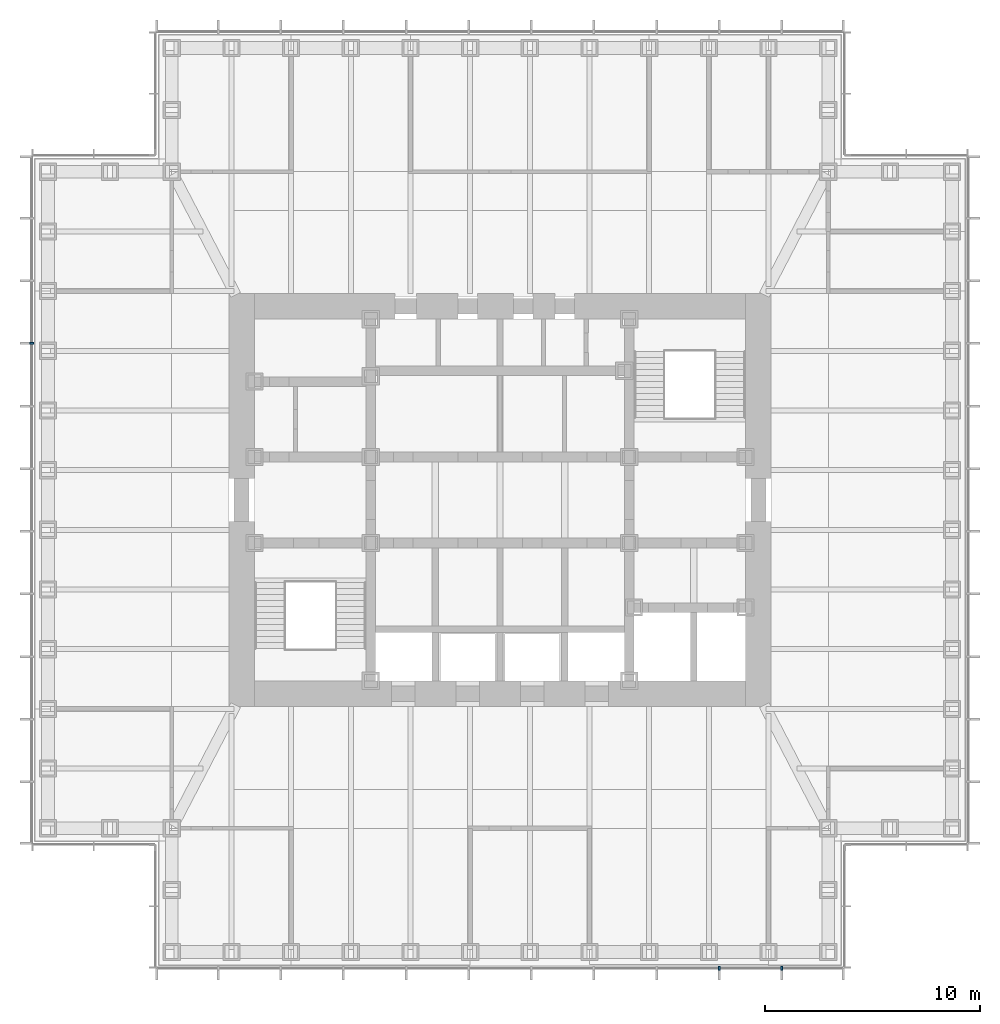
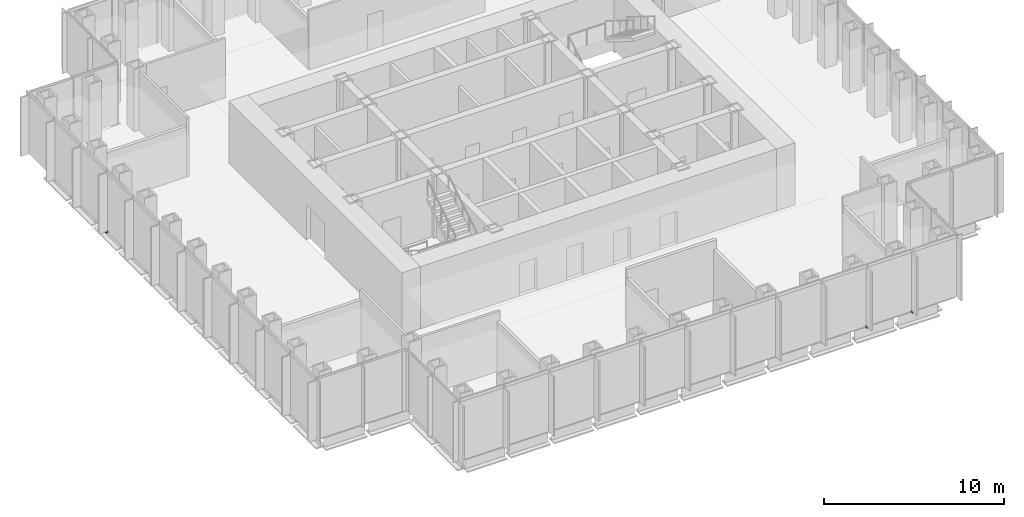
# One storey, part 12 of 16: 3 discrete accessories.
"""IFC4 building model written with IfcOpenShell, lengths in metres."""

from ifc_helpers import new_model, si_unit, direction, frame, origin, origin_2d, place, context, subcontext, project, spatial, rectangle, extrude, element, save


model = new_model("IFC4")

# Units and contexts
model_context = context("Model", 3, precision=1e-05, world=origin(), true_north=direction((0.0, 1.0)))
body_context = subcontext(model_context, "Body", "Model", "MODEL_VIEW")
ifc_project = project(units=[si_unit("LENGTHUNIT", "METRE"), si_unit("AREAUNIT", "SQUARE_METRE"), si_unit("VOLUMEUNIT", "CUBIC_METRE"), si_unit("PLANEANGLEUNIT", "RADIAN"), si_unit("MASSUNIT", "GRAM", prefix="KILO")], contexts=[model_context])

# Site, building, storey
site_placement = place(None, origin())
site = spatial("IfcSite", under=ifc_project, at=site_placement, CompositionType="ELEMENT")
building_placement = place(site_placement, origin())
building = spatial("IfcBuilding", under=site, at=building_placement, Name="Daluyong Arena Tower", CompositionType="ELEMENT")
storey_placement = place(building_placement, frame((0.0, 0.0, 254.5)))
storey = spatial("IfcBuildingStorey", under=building, at=storey_placement, Name="L57", CompositionType="ELEMENT", Elevation=254.5)

# Discrete accessories
for number, where, z_axis, x_axis, name in (
    (1, (66.181884765625, 58.25, -0.10009765625), (0.0, 0.0, 1.0), (1.0, 0.0, 0.0), "curtain wall L57 S anchor bracket 10"),
    (2, (69.0908203125, 58.25, -0.10009765625), (0.0, 0.0, 1.0), (1.0, 0.0, 0.0), "curtain wall L57 S anchor bracket 11"),
    (3, (34.25, 87.272705078125, -0.10009765625), (0.0, 0.0, 1.0), (0.0, -1.0, 0.0), "curtain wall L57 W anchor bracket 4"),
):
    element("IfcDiscreteAccessory", number, at=place(storey_placement, frame(where, z_axis=z_axis, x_axis=x_axis)), inside=storey, Name=name, PredefinedType="BRACKET", context=body_context, shape_type="SweptSolid", body=[
        extrude(rectangle(XDim=0.090087890625, YDim=0.199951171875, at=origin_2d()), origin(), (0.0, 0.0, 1.0), 0.10009765625),
    ])

save(model, "model.ifc")
